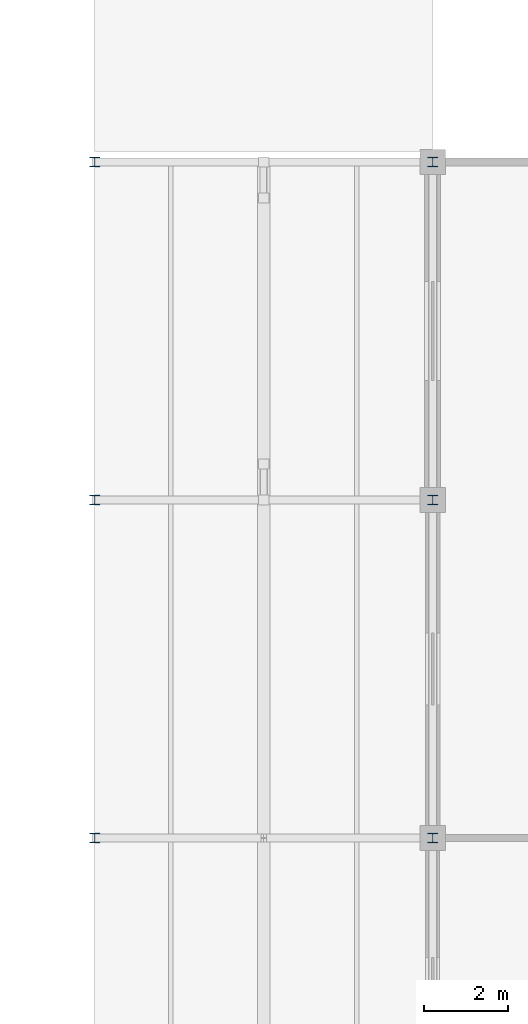
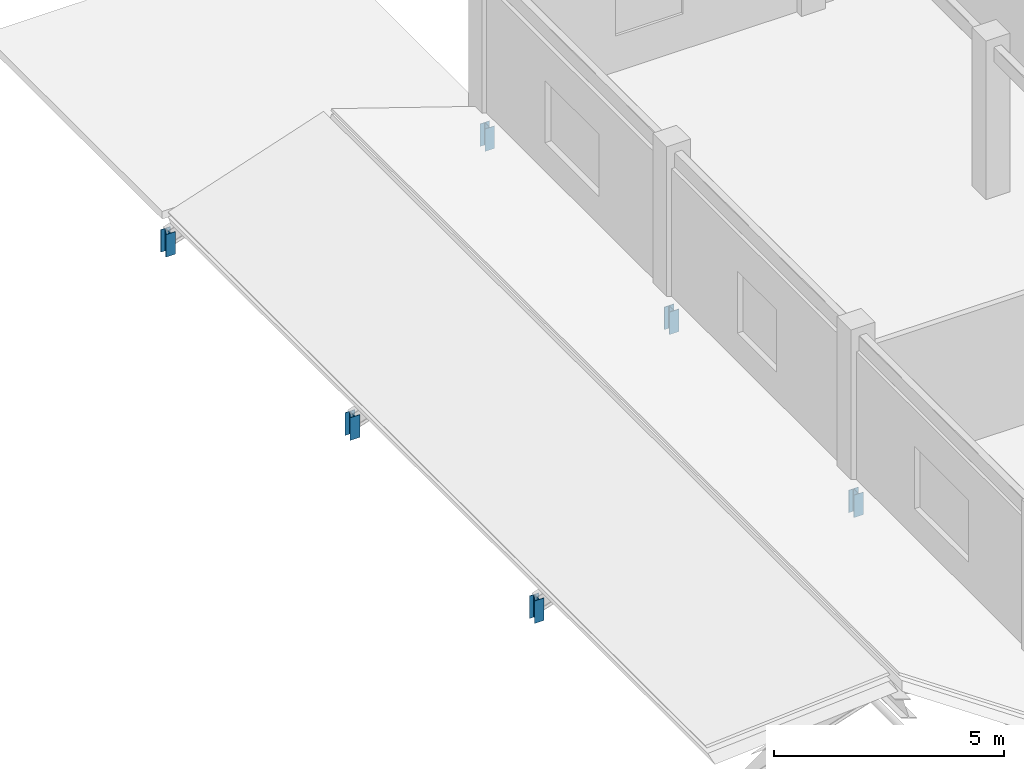
# One storey, part 10 of 27: 6 members.
"""IFC4 building model written with IfcOpenShell, lengths in metres."""

from ifc_helpers import new_model, si_unit, direction, frame, origin, origin_2d, place, context, subcontext, project, spatial, i_section, extrude, material, material_profile, profile_set, type_object, element, save


model = new_model("IFC4")

# Units and contexts
model_context = context("Model", 3, precision=1e-05, world=origin(), true_north=direction((0.0, 1.0)))
body_context = subcontext(model_context, "Body", "Model", "MODEL_VIEW")
ifc_project = project(units=[si_unit("LENGTHUNIT", "METRE"), si_unit("AREAUNIT", "SQUARE_METRE"), si_unit("VOLUMEUNIT", "CUBIC_METRE"), si_unit("PLANEANGLEUNIT", "RADIAN"), si_unit("MASSUNIT", "GRAM", prefix="KILO")], contexts=[model_context])

# Site, building, storey
site_placement = place(None, origin())
site = spatial("IfcSite", under=ifc_project, at=site_placement, CompositionType="ELEMENT")
building_placement = place(site_placement, origin())
building = spatial("IfcBuilding", under=site, at=building_placement, Name="Kenh Van Central Station", CompositionType="ELEMENT")
storey_placement = place(building_placement, frame((0.0, 0.0, 19.199951171875)))
storey = spatial("IfcBuildingStorey", under=building, at=storey_placement, Name="L04", CompositionType="ELEMENT", Elevation=19.199951171875)

# Members
ifc_material = material(Name="Steel S355", Category="steel")
ifc_material_profile = material_profile(ifc_material, i_section(OverallWidth=0.239990234375, OverallDepth=0.22998046875, WebThickness=0.007568359375, FlangeThickness=0.011962890625, FilletRadius=0.02099609375, at=origin_2d()), Name="HEA 240")
ifc_profile_set = profile_set([ifc_material_profile], Name="Steel S355")
member_type = type_object("IfcMemberType", Name="MEM-ROOF-POST240", PredefinedType="POST", material=ifc_profile_set)
for number, where, z_axis, x_axis, name in (
    (1, (128.0, 40.0, -0.949951171875), (0.0, 0.0, 1.0), (1.0, 0.0, 0.0), "L04 roof eave post 176"),
    (2, (136.0, 40.0, -0.949951171875), (0.0, 0.0, 1.0), (1.0, 0.0, 0.0), "L04 roof eave post 176"),
    (3, (128.0, 48.0, -0.949951171875), (0.0, 0.0, 1.0), (1.0, 0.0, 0.0), "L04 roof eave post 178"),
    (4, (136.0, 48.0, -0.949951171875), (0.0, 0.0, 1.0), (1.0, 0.0, 0.0), "L04 roof eave post 178"),
    (5, (128.0, 56.0, -0.949951171875), (0.0, 0.0, 1.0), (1.0, 0.0, 0.0), "L04 roof eave post 180"),
    (6, (136.0, 56.0, -0.949951171875), (0.0, 0.0, 1.0), (1.0, 0.0, 0.0), "L04 roof eave post 180"),
):
    element("IfcMember", number, at=place(storey_placement, frame(where, z_axis=z_axis, x_axis=x_axis)), inside=storey, type_object=member_type, Name=name, PredefinedType="POST", context=body_context, shape_type="SweptSolid", body=[
        extrude(i_section(OverallWidth=0.239990234375, OverallDepth=0.22998046875, WebThickness=0.007568359375, FlangeThickness=0.011962890625, FilletRadius=0.02099609375, at=origin_2d()), origin(), (0.0, 0.0, 1.0), 0.5966796875),
    ])

save(model, "model.ifc")
